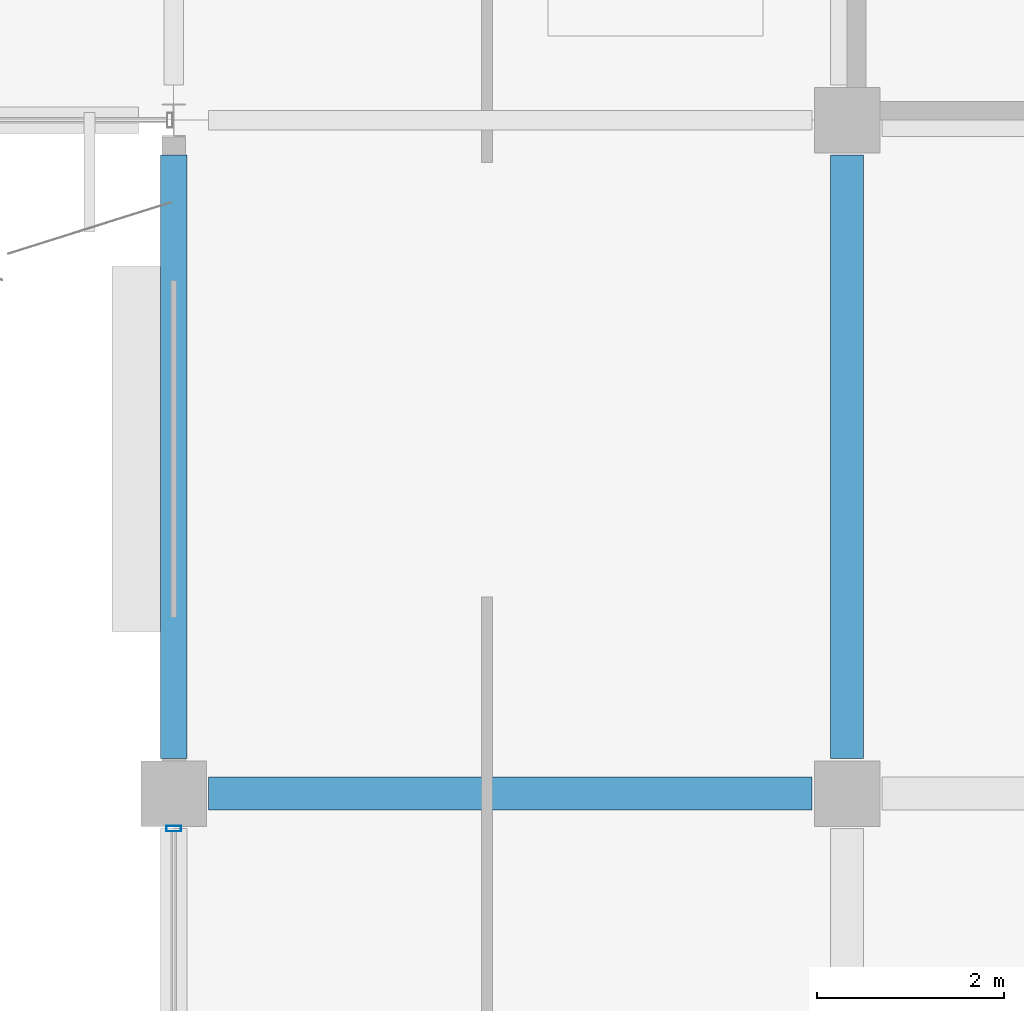
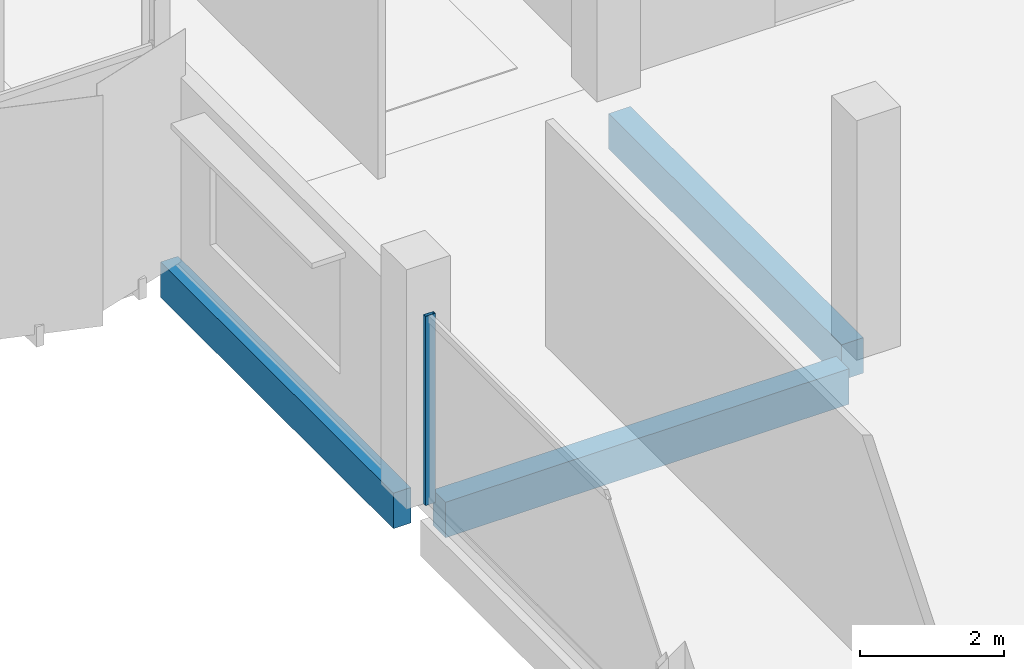
# One storey, part 51 of 91: 3 beams, 1 member, 1 element without a shape of its own.
"""IFC4 building model written with IfcOpenShell, lengths in metres."""

from ifc_helpers import new_model, si_unit, direction, frame, origin, origin_2d, place, context, subcontext, project, spatial, rectangle, hollow_rectangle, extrude, material, layer, layer_set, material_profile, profile_set, type_object, element, aggregate, save


model = new_model("IFC4")

# Units and contexts
model_context = context("Model", 3, precision=1e-05, world=origin(), true_north=direction((0.0, 1.0)))
body_context = subcontext(model_context, "Body", "Model", "MODEL_VIEW")
ifc_project = project(units=[si_unit("LENGTHUNIT", "METRE"), si_unit("AREAUNIT", "SQUARE_METRE"), si_unit("VOLUMEUNIT", "CUBIC_METRE"), si_unit("PLANEANGLEUNIT", "RADIAN"), si_unit("MASSUNIT", "GRAM", prefix="KILO")], contexts=[model_context])

# Site, building, storey
site_placement = place(None, origin())
site = spatial("IfcSite", under=ifc_project, at=site_placement, CompositionType="ELEMENT")
building_placement = place(site_placement, origin())
building = spatial("IfcBuilding", under=site, at=building_placement, Name="Kangsadwip Square Police Headquarters", CompositionType="ELEMENT")
storey_placement = place(building_placement, frame((0.0, 0.0, 13.5)))
storey = spatial("IfcBuildingStorey", under=building, at=storey_placement, Name="L03", CompositionType="ELEMENT", Elevation=13.5)

# Curtain wall, member
ifc_material_1 = material(Name="Thermally broken anodised aluminium AW-6063-T6", Category="aluminium")
ifc_layer = layer(ifc_material_1, 0.159912109375)
ifc_layer_set = layer_set([ifc_layer], Name="Thermally broken anodised aluminium AW-6063-T6")
curtain_wall_type = type_object("IfcCurtainWallType", Name="CourtScreen6510x3200", PredefinedType="USERDEFINED", material=ifc_layer_set)
curtain_wall_placement = place(storey_placement, origin())
curtain_wall = element("IfcCurtainWall", 1, at=curtain_wall_placement, inside=storey, type_object=curtain_wall_type, Name="Curtain Wall CW-L03-1440-0795", ObjectType="GLAZED_SCREEN", PredefinedType="USERDEFINED")
ifc_material_2 = material(Name="Thermally broken anodised aluminium AW-6063-T6", Category="aluminium")
ifc_material_profile_1 = material_profile(ifc_material_2, hollow_rectangle(XDim=0.06005859375, YDim=0.159912109375, WallThickness=0.00390625, at=origin_2d()), Name="CWM 160X60X4")
ifc_profile_set_1 = profile_set([ifc_material_profile_1], Name="Thermally broken anodised aluminium AW-6063-T6")
member_type = type_object("IfcMemberType", Name="CwMullion135x60", PredefinedType="MULLION", material=ifc_profile_set_1)
member_placement = place(storey_placement, frame((144.0, 86.02490234375, 0.0), z_axis=(0.0, 0.0, 1.0), x_axis=(0.0, 1.0, 0.0)))
member = element("IfcMember", 2, at=member_placement, type_object=member_type, Name="CW-19 mullion 2", PredefinedType="MULLION", context=body_context, shape_type="SweptSolid", body=[
    extrude(hollow_rectangle(XDim=0.06005859375, YDim=0.159912109375, WallThickness=0.00390625, at=origin_2d()), origin(), (0.0, 0.0, 1.0), 3.199951171875),
])
aggregate(curtain_wall, [member])

# Beams
ifc_material_3 = material(Name="Concrete M35 (35 MPa)", Category="concrete")
ifc_material_profile_2 = material_profile(ifc_material_3, rectangle(XDim=0.35009765625, YDim=0.60009765625, at=origin_2d()), Name="RC BM 600X350")
ifc_profile_set_2 = profile_set([ifc_material_profile_2], Name="Concrete M35 (35 MPa)")
beam_type_1 = type_object("IfcBeamType", Name="RcBeam600x350", PredefinedType="BEAM", material=ifc_profile_set_2)
beam_1_placement = place(storey_placement, frame((144.375, 86.39990234375, -0.5400390625), z_axis=(1.0, 0.0, 0.0), x_axis=(0.0, 1.0, 0.0)))
element("IfcBeam", 3, at=beam_1_placement, inside=storey, type_object=beam_type_1, Name="Beam BM-L03-X-20-12", PredefinedType="BEAM", context=body_context, shape_type="SweptSolid", body=[
    extrude(rectangle(XDim=0.35009765625, YDim=0.60009765625, at=origin_2d()), origin(), (0.0, 0.0, 1.0), 6.449951171875),
])
beam_2_placement = place(storey_placement, frame((151.199951171875, 86.77490234375, -0.5400390625), z_axis=(0.0, 1.0, 0.0), x_axis=(-1.0, 0.0, 0.0)))
element("IfcBeam", 4, at=beam_2_placement, inside=storey, type_object=beam_type_1, Name="Beam BM-L03-Y-21-12", PredefinedType="BEAM", context=body_context, shape_type="SweptSolid", body=[
    extrude(rectangle(XDim=0.35009765625, YDim=0.60009765625, at=origin_2d()), origin(), (0.0, 0.0, 1.0), 6.4501953125),
])
ifc_material_4 = material(Name="Concrete M40 (40 MPa)", Category="concrete")
ifc_material_profile_3 = material_profile(ifc_material_4, rectangle(XDim=0.280029296875, YDim=0.60009765625, at=origin_2d()), Name="RC SPN 600X280")
ifc_profile_set_3 = profile_set([ifc_material_profile_3], Name="Concrete M40 (40 MPa)")
beam_type_2 = type_object("IfcBeamType", Name="RcSpandrel600x280", PredefinedType="SPANDREL", material=ifc_profile_set_3)
beam_3_placement = place(storey_placement, frame((144.0, 86.77490234375, -0.5400390625), z_axis=(0.0, 1.0, 0.0), x_axis=(-1.0, 0.0, 0.0)))
element("IfcBeam", 5, at=beam_3_placement, inside=storey, type_object=beam_type_2, Name="Beam BM-L03-Y-20-12", PredefinedType="SPANDREL", context=body_context, shape_type="SweptSolid", body=[
    extrude(rectangle(XDim=0.280029296875, YDim=0.60009765625, at=origin_2d()), origin(), (0.0, 0.0, 1.0), 6.4501953125),
])

save(model, "model.ifc")
